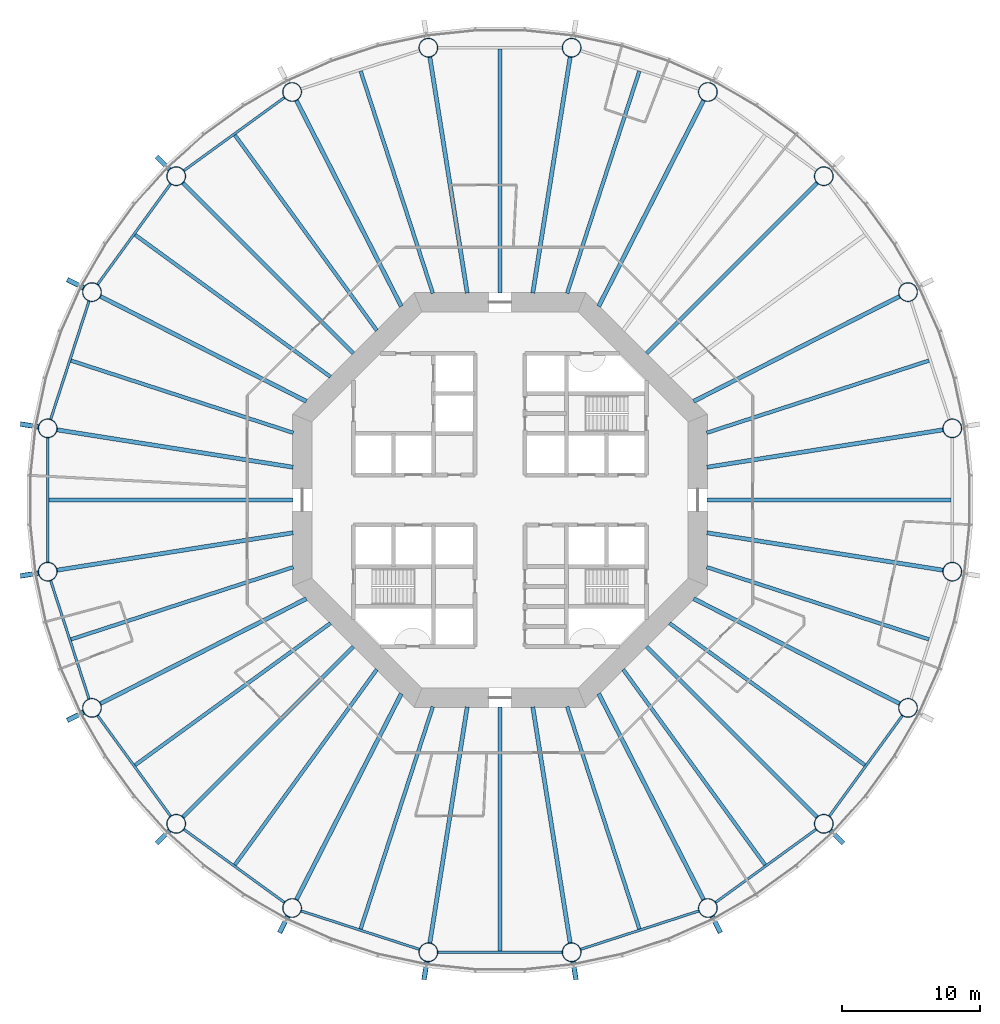
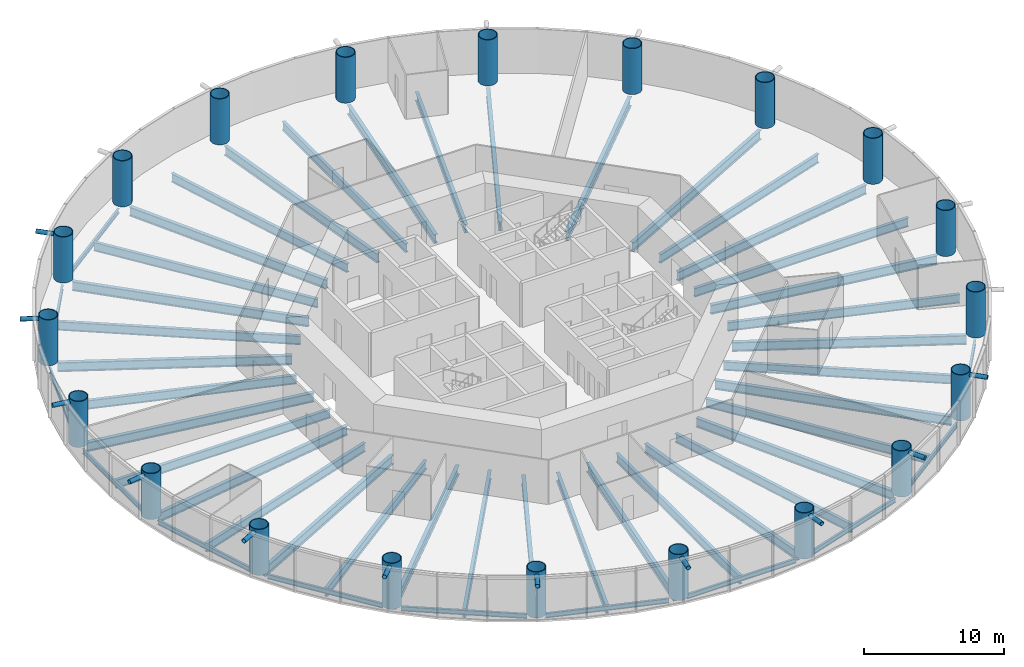
# One storey, part 1 of 13: 50 beams, 20 columns, 11 members.
"""IFC4 building model written with IfcOpenShell, lengths in metres."""

from ifc_helpers import new_model, si_unit, direction, frame, origin, origin_2d, place, context, subcontext, project, spatial, circle, hollow_circle, i_section, extrude, material, material_profile, profile_set, type_object, element, save


model = new_model("IFC4")

# Units and contexts
model_context = context("Model", 3, precision=1e-05, world=origin(), true_north=direction((0.0, 1.0)))
body_context = subcontext(model_context, "Body", "Model", "MODEL_VIEW")
ifc_project = project(units=[si_unit("LENGTHUNIT", "METRE"), si_unit("AREAUNIT", "SQUARE_METRE"), si_unit("VOLUMEUNIT", "CUBIC_METRE"), si_unit("PLANEANGLEUNIT", "RADIAN"), si_unit("MASSUNIT", "GRAM", prefix="KILO")], contexts=[model_context])

# Site, building, storey
site_placement = place(None, origin())
site = spatial("IfcSite", under=ifc_project, at=site_placement, CompositionType="ELEMENT")
building_placement = place(site_placement, origin())
building = spatial("IfcBuilding", under=site, at=building_placement, Name="Entoto Ring Tower", CompositionType="ELEMENT")
storey_placement = place(building_placement, frame((0.0, 0.0, 50.0)))
storey = spatial("IfcBuildingStorey", under=building, at=storey_placement, Name="L10", CompositionType="ELEMENT", Elevation=50.0)

# Columns
ifc_material_1 = material(Name="Steel S355", Category="steel")
ifc_material_profile_1 = material_profile(ifc_material_1, hollow_circle(Radius=0.699951171875, WallThickness=0.06005859375, at=origin_2d()), Name="CHS 1400 x 60")
ifc_material_2 = material(Name="Concrete C60/75", Category="concrete")
ifc_material_profile_2 = material_profile(ifc_material_2, circle(Radius=0.639892578125, at=origin_2d()), Name="Concrete C60/75 infill")
ifc_profile_set_1 = profile_set([ifc_material_profile_1, ifc_material_profile_2], Name="Steel S355")
column_type = type_object("IfcColumnType", Name="Ring column 1400 x 60 concrete-filled tube", PredefinedType="COLUMN", material=ifc_profile_set_1)
for number, where, z_axis, x_axis, name in (
    (1, (122.6923828125, 85.177978515625, 0.0), (0.0, 0.0, 1.0), (1.0, 0.0, 0.0), "RC1 R01"),
    (2, (119.492431640625, 95.027099609375, 0.0), (0.0, 0.0, 1.0), (1.0, 0.0, 0.0), "RC1 R02"),
    (3, (113.4052734375, 103.4052734375, 0.0), (0.0, 0.0, 1.0), (1.0, 0.0, 0.0), "RC1 R03"),
    (4, (105.027099609375, 109.492431640625, 0.0), (0.0, 0.0, 1.0), (1.0, 0.0, 0.0), "RC1 R04"),
    (5, (95.177978515625, 112.6923828125, 0.0), (0.0, 0.0, 1.0), (1.0, 0.0, 0.0), "RC1 R05"),
    (6, (84.822021484375, 112.6923828125, 0.0), (0.0, 0.0, 1.0), (1.0, 0.0, 0.0), "RC1 R06"),
    (7, (74.972900390625, 109.492431640625, 0.0), (0.0, 0.0, 1.0), (1.0, 0.0, 0.0), "RC1 R07"),
    (8, (66.5947265625, 103.4052734375, 0.0), (0.0, 0.0, 1.0), (1.0, 0.0, 0.0), "RC1 R08"),
    (9, (60.507568359375, 95.027099609375, 0.0), (0.0, 0.0, 1.0), (1.0, 0.0, 0.0), "RC1 R09"),
    (10, (57.3076171875, 85.177978515625, 0.0), (0.0, 0.0, 1.0), (1.0, 0.0, 0.0), "RC1 R10"),
    (11, (57.3076171875, 74.822021484375, 0.0), (0.0, 0.0, 1.0), (1.0, 0.0, 0.0), "RC1 R11"),
    (12, (60.507568359375, 64.972900390625, 0.0), (0.0, 0.0, 1.0), (1.0, 0.0, 0.0), "RC1 R12"),
    (13, (66.5947265625, 56.5947265625, 0.0), (0.0, 0.0, 1.0), (1.0, 0.0, 0.0), "RC1 R13"),
    (14, (74.972900390625, 50.507568359375, 0.0), (0.0, 0.0, 1.0), (1.0, 0.0, 0.0), "RC1 R14"),
    (15, (84.822021484375, 47.3076171875, 0.0), (0.0, 0.0, 1.0), (1.0, 0.0, 0.0), "RC1 R15"),
    (16, (95.177978515625, 47.3076171875, 0.0), (0.0, 0.0, 1.0), (1.0, 0.0, 0.0), "RC1 R16"),
    (17, (105.027099609375, 50.507568359375, 0.0), (0.0, 0.0, 1.0), (1.0, 0.0, 0.0), "RC1 R17"),
    (18, (113.4052734375, 56.5947265625, 0.0), (0.0, 0.0, 1.0), (1.0, 0.0, 0.0), "RC1 R18"),
    (19, (119.492431640625, 64.972900390625, 0.0), (0.0, 0.0, 1.0), (1.0, 0.0, 0.0), "RC1 R19"),
    (20, (122.6923828125, 74.822021484375, 0.0), (0.0, 0.0, 1.0), (1.0, 0.0, 0.0), "RC1 R20"),
):
    element("IfcColumn", number, at=place(storey_placement, frame(where, z_axis=z_axis, x_axis=x_axis)), inside=storey, type_object=column_type, Name=name, PredefinedType="COLUMN", context=body_context, shape_type="SweptSolid", body=[
        extrude(hollow_circle(Radius=0.699951171875, WallThickness=0.06005859375, at=origin_2d()), origin(), (0.0, 0.0, 1.0), 4.0),
    ])

# Members
ifc_material_3 = material(Name="Steel S355", Category="steel")
ifc_material_profile_3 = material_profile(ifc_material_3, hollow_circle(Radius=0.177734375, WallThickness=0.01611328125, at=origin_2d()), Name="CHS 355.6 x 16")
ifc_material_4 = material(Name="Concrete C60/75", Category="concrete")
ifc_material_profile_4 = material_profile(ifc_material_4, circle(Radius=0.161865234375, at=origin_2d()), Name="Concrete C60/75 infill")
ifc_profile_set_2 = profile_set([ifc_material_profile_3, ifc_material_profile_4], Name="Steel S355")
member_type = type_object("IfcMemberType", Name="Diagrid node strut 355.6 x 16", PredefinedType="STRUT", material=ifc_profile_set_2)
member_1_placement = place(storey_placement, frame((66.130126953125, 103.869873046875, 3.672119140625), z_axis=(-0.707106781187, 0.707106781187, 0.0), x_axis=(-0.707106781187, -0.707106781187, 0.0)))
element("IfcMember", 21, at=member_1_placement, inside=storey, type_object=member_type, Name="DS1 strut ring 3 07", PredefinedType="STRUT", context=body_context, shape_type="SweptSolid", body=[
    extrude(hollow_circle(Radius=0.177734375, WallThickness=0.01611328125, at=origin_2d()), origin(), (0.0, 0.0, 1.0), 1.3427734375),
])
member_2_placement = place(storey_placement, frame((59.92236328125, 95.325439453125, 3.672119140625), z_axis=(-0.891057529727, 0.453890381829, 0.0), x_axis=(-0.453890381829, -0.891057529727, 0.0)))
element("IfcMember", 22, at=member_2_placement, inside=storey, type_object=member_type, Name="DS1 strut ring 3 08", PredefinedType="STRUT", context=body_context, shape_type="SweptSolid", body=[
    extrude(hollow_circle(Radius=0.177734375, WallThickness=0.01611328125, at=origin_2d()), origin(), (0.0, 0.0, 1.0), 1.343017578125),
])
for number, where, z_axis, x_axis, name in (
    (23, (56.65869140625, 85.28076171875, 3.672119140625), (-0.987678819889, 0.156494564579, 0.0), (-0.156494564579, -0.987678819889, 0.0), "DS1 strut ring 3 09"),
    (24, (56.65869140625, 74.71923828125, 3.672119140625), (-0.987678819889, -0.156494564579, 0.0), (0.156494564579, -0.987678819889, 0.0), "DS1 strut ring 3 10"),
):
    element("IfcMember", number, at=place(storey_placement, frame(where, z_axis=z_axis, x_axis=x_axis)), inside=storey, type_object=member_type, Name=name, PredefinedType="STRUT", context=body_context, shape_type="SweptSolid", body=[
        extrude(hollow_circle(Radius=0.177734375, WallThickness=0.01611328125, at=origin_2d()), origin(), (0.0, 0.0, 1.0), 1.34326171875),
    ])
member_3_placement = place(storey_placement, frame((59.92236328125, 64.674560546875, 3.672119140625), z_axis=(-0.891057529727, -0.453890381829, 0.0), x_axis=(0.453890381829, -0.891057529727, 0.0)))
element("IfcMember", 25, at=member_3_placement, inside=storey, type_object=member_type, Name="DS1 strut ring 3 11", PredefinedType="STRUT", context=body_context, shape_type="SweptSolid", body=[
    extrude(hollow_circle(Radius=0.177734375, WallThickness=0.01611328125, at=origin_2d()), origin(), (0.0, 0.0, 1.0), 1.343017578125),
])
member_4_placement = place(storey_placement, frame((66.130126953125, 56.130126953125, 3.672119140625), z_axis=(-0.707106781187, -0.707106781187, 0.0), x_axis=(0.707106781187, -0.707106781187, 0.0)))
element("IfcMember", 26, at=member_4_placement, inside=storey, type_object=member_type, Name="DS1 strut ring 3 12", PredefinedType="STRUT", context=body_context, shape_type="SweptSolid", body=[
    extrude(hollow_circle(Radius=0.177734375, WallThickness=0.01611328125, at=origin_2d()), origin(), (0.0, 0.0, 1.0), 1.3427734375),
])
member_5_placement = place(storey_placement, frame((74.674560546875, 49.92236328125, 3.672119140625), z_axis=(-0.453890381829, -0.891057529727, 0.0), x_axis=(0.891057529727, -0.453890381829, 0.0)))
element("IfcMember", 27, at=member_5_placement, inside=storey, type_object=member_type, Name="DS1 strut ring 3 13", PredefinedType="STRUT", context=body_context, shape_type="SweptSolid", body=[
    extrude(hollow_circle(Radius=0.177734375, WallThickness=0.01611328125, at=origin_2d()), origin(), (0.0, 0.0, 1.0), 1.343017578125),
])
for number, where, z_axis, x_axis, name in (
    (28, (84.71923828125, 46.65869140625, 3.672119140625), (-0.156494564579, -0.987678819889, 0.0), (0.987678819889, -0.156494564579, 0.0), "DS1 strut ring 3 14"),
    (29, (95.28076171875, 46.65869140625, 3.672119140625), (0.156494564579, -0.987678819889, 0.0), (0.987678819889, 0.156494564579, 0.0), "DS1 strut ring 3 15"),
):
    element("IfcMember", number, at=place(storey_placement, frame(where, z_axis=z_axis, x_axis=x_axis)), inside=storey, type_object=member_type, Name=name, PredefinedType="STRUT", context=body_context, shape_type="SweptSolid", body=[
        extrude(hollow_circle(Radius=0.177734375, WallThickness=0.01611328125, at=origin_2d()), origin(), (0.0, 0.0, 1.0), 1.34326171875),
    ])
member_6_placement = place(storey_placement, frame((105.325439453125, 49.92236328125, 3.672119140625), z_axis=(0.453890381829, -0.891057529727, 0.0), x_axis=(0.891057529727, 0.453890381829, 0.0)))
element("IfcMember", 30, at=member_6_placement, inside=storey, type_object=member_type, Name="DS1 strut ring 3 16", PredefinedType="STRUT", context=body_context, shape_type="SweptSolid", body=[
    extrude(hollow_circle(Radius=0.177734375, WallThickness=0.01611328125, at=origin_2d()), origin(), (0.0, 0.0, 1.0), 1.343017578125),
])
member_7_placement = place(storey_placement, frame((113.869873046875, 56.130126953125, 3.672119140625), z_axis=(0.707106781187, -0.707106781187, 0.0), x_axis=(0.707106781187, 0.707106781187, 0.0)))
element("IfcMember", 31, at=member_7_placement, inside=storey, type_object=member_type, Name="DS1 strut ring 3 17", PredefinedType="STRUT", context=body_context, shape_type="SweptSolid", body=[
    extrude(hollow_circle(Radius=0.177734375, WallThickness=0.01611328125, at=origin_2d()), origin(), (0.0, 0.0, 1.0), 1.3427734375),
])

# Beams
ifc_material_5 = material(Name="Steel S355", Category="steel")
ifc_material_profile_5 = material_profile(ifc_material_5, i_section(OverallWidth=0.179931640625, OverallDepth=0.39990234375, WebThickness=0.008544921875, FlangeThickness=0.013427734375, FilletRadius=0.02099609375, at=origin_2d()), Name="IPE 400")
ifc_profile_set_3 = profile_set([ifc_material_profile_5], Name="Steel S355")
beam_type_1 = type_object("IfcBeamType", Name="Edge beam IPE 400", PredefinedType="SPANDREL", material=ifc_profile_set_3)
for number, where, z_axis, x_axis, name in (
    (32, (74.427490234375, 109.09619140625, -0.35009765625), (-0.80901142547, -0.587792917156, 0.0), (0.587792917156, -0.80901142547, 0.0), "Edge beam L10 07"),
    (33, (66.198486328125, 102.85986328125, -0.35009765625), (-0.587792917156, -0.80901142547, 0.0), (0.80901142547, -0.587792917156, 0.0), "Edge beam L10 08"),
    (34, (60.29931640625, 94.385986328125, -0.35009765625), (-0.309006400295, -0.951059958455, 0.0), (0.951059958455, -0.309006400295, 0.0), "Edge beam L10 09"),
    (35, (57.3076171875, 84.50390625, -0.35009765625), (0.0, -1.0, 0.0), (1.0, 0.0, 0.0), "Edge beam L10 10"),
    (36, (57.515869140625, 74.180908203125, -0.35009765625), (0.309006400295, -0.951059958455, 0.0), (0.951059958455, 0.309006400295, 0.0), "Edge beam L10 11"),
    (37, (60.90380859375, 64.427490234375, -0.35009765625), (0.587792917156, -0.80901142547, 0.0), (0.80901142547, 0.587792917156, 0.0), "Edge beam L10 12"),
    (38, (67.14013671875, 56.198486328125, -0.35009765625), (0.80901142547, -0.587792917156, 0.0), (0.587792917156, 0.80901142547, 0.0), "Edge beam L10 13"),
    (39, (75.614013671875, 50.29931640625, -0.35009765625), (0.951059958455, -0.309006400295, 0.0), (0.309006400295, 0.951059958455, 0.0), "Edge beam L10 14"),
    (40, (85.49609375, 47.3076171875, -0.35009765625), (1.0, 0.0, 0.0), (0.0, 1.0, 0.0), "Edge beam L10 15"),
    (41, (95.819091796875, 47.515869140625, -0.35009765625), (0.951059958455, 0.309006400295, 0.0), (-0.309006400295, 0.951059958455, 0.0), "Edge beam L10 16"),
    (42, (105.572509765625, 50.90380859375, -0.35009765625), (0.80901142547, 0.587792917156, 0.0), (-0.587792917156, 0.80901142547, 0.0), "Edge beam L10 17"),
    (43, (113.801513671875, 57.14013671875, -0.35009765625), (0.587792917156, 0.80901142547, 0.0), (-0.80901142547, 0.587792917156, 0.0), "Edge beam L10 18"),
):
    element("IfcBeam", number, at=place(storey_placement, frame(where, z_axis=z_axis, x_axis=x_axis)), inside=storey, type_object=beam_type_1, Name=name, PredefinedType="SPANDREL", context=body_context, shape_type="SweptSolid", body=[
        extrude(i_section(OverallWidth=0.179931640625, OverallDepth=0.39990234375, WebThickness=0.008544921875, FlangeThickness=0.013427734375, FilletRadius=0.02099609375, at=origin_2d()), origin(), (0.0, 0.0, 1.0), 9.0078125),
    ])
ifc_material_6 = material(Name="Steel S355", Category="steel")
ifc_material_profile_6 = material_profile(ifc_material_6, i_section(OverallWidth=0.300048828125, OverallDepth=0.800048828125, WebThickness=0.017578125, FlangeThickness=0.032958984375, FilletRadius=0.030029296875, at=origin_2d()), Name="HE 800 B")
ifc_profile_set_4 = profile_set([ifc_material_profile_6], Name="Steel S355")
beam_type_2 = type_object("IfcBeamType", Name="Primary floor beam HE 800 B", PredefinedType="BEAM", material=ifc_profile_set_4)
beam_1_placement = place(storey_placement, frame((104.956787109375, 82.368896484375, -0.550048828125), z_axis=(0.98768775999, 0.156438130794, 0.0), x_axis=(-0.156438130794, 0.98768775999, 0.0)))
element("IfcBeam", 44, at=beam_1_placement, inside=storey, type_object=beam_type_2, Name="Primary L10 R01", PredefinedType="BEAM", context=body_context, shape_type="SweptSolid", body=[
    extrude(i_section(OverallWidth=0.300048828125, OverallDepth=0.800048828125, WebThickness=0.017578125, FlangeThickness=0.032958984375, FilletRadius=0.030029296875, at=origin_2d()), origin(), (0.0, 0.0, 1.0), 17.293212890625),
])
beam_2_placement = place(storey_placement, frame((103.99169921875, 87.129150390625, -0.550048828125), z_axis=(0.891007761657, 0.453988071063, 0.0), x_axis=(-0.453988071063, 0.891007761657, 0.0)))
element("IfcBeam", 45, at=beam_2_placement, inside=storey, type_object=beam_type_2, Name="Primary L10 R02", PredefinedType="BEAM", context=body_context, shape_type="SweptSolid", body=[
    extrude(i_section(OverallWidth=0.300048828125, OverallDepth=0.800048828125, WebThickness=0.017578125, FlangeThickness=0.032958984375, FilletRadius=0.030029296875, at=origin_2d()), origin(), (0.0, 0.0, 1.0), 16.733154296875),
])
beam_3_placement = place(storey_placement, frame((100.592529296875, 90.592529296875, -0.550048828125), z_axis=(0.707106781187, 0.707106781187, 0.0), x_axis=(-0.707106781187, 0.707106781187, 0.0)))
element("IfcBeam", 46, at=beam_3_placement, inside=storey, type_object=beam_type_2, Name="Primary L10 R03", PredefinedType="BEAM", context=body_context, shape_type="SweptSolid", body=[
    extrude(i_section(OverallWidth=0.300048828125, OverallDepth=0.800048828125, WebThickness=0.017578125, FlangeThickness=0.032958984375, FilletRadius=0.030029296875, at=origin_2d()), origin(), (0.0, 0.0, 1.0), 17.456298828125),
])
beam_4_placement = place(storey_placement, frame((97.129150390625, 93.99169921875, -0.550048828125), z_axis=(0.453988071063, 0.891007761657, 0.0), x_axis=(-0.891007761657, 0.453988071063, 0.0)))
element("IfcBeam", 47, at=beam_4_placement, inside=storey, type_object=beam_type_2, Name="Primary L10 R04", PredefinedType="BEAM", context=body_context, shape_type="SweptSolid", body=[
    extrude(i_section(OverallWidth=0.300048828125, OverallDepth=0.800048828125, WebThickness=0.017578125, FlangeThickness=0.032958984375, FilletRadius=0.030029296875, at=origin_2d()), origin(), (0.0, 0.0, 1.0), 16.733154296875),
])
for number, where, z_axis, x_axis, name in (
    (48, (92.368896484375, 94.956787109375, -0.550048828125), (0.156438130794, 0.98768775999, 0.0), (-0.98768775999, 0.156438130794, 0.0), "Primary L10 R05"),
    (49, (87.631103515625, 94.956787109375, -0.550048828125), (-0.156438130794, 0.98768775999, 0.0), (-0.98768775999, -0.156438130794, 0.0), "Primary L10 R06"),
):
    element("IfcBeam", number, at=place(storey_placement, frame(where, z_axis=z_axis, x_axis=x_axis)), inside=storey, type_object=beam_type_2, Name=name, PredefinedType="BEAM", context=body_context, shape_type="SweptSolid", body=[
        extrude(i_section(OverallWidth=0.300048828125, OverallDepth=0.800048828125, WebThickness=0.017578125, FlangeThickness=0.032958984375, FilletRadius=0.030029296875, at=origin_2d()), origin(), (0.0, 0.0, 1.0), 17.293212890625),
    ])
beam_5_placement = place(storey_placement, frame((82.870849609375, 93.99169921875, -0.550048828125), z_axis=(-0.453988071063, 0.891007761657, 0.0), x_axis=(-0.891007761657, -0.453988071063, 0.0)))
element("IfcBeam", 50, at=beam_5_placement, inside=storey, type_object=beam_type_2, Name="Primary L10 R07", PredefinedType="BEAM", context=body_context, shape_type="SweptSolid", body=[
    extrude(i_section(OverallWidth=0.300048828125, OverallDepth=0.800048828125, WebThickness=0.017578125, FlangeThickness=0.032958984375, FilletRadius=0.030029296875, at=origin_2d()), origin(), (0.0, 0.0, 1.0), 16.733154296875),
])
beam_6_placement = place(storey_placement, frame((79.407470703125, 90.592529296875, -0.550048828125), z_axis=(-0.707106781187, 0.707106781187, 0.0), x_axis=(-0.707106781187, -0.707106781187, 0.0)))
element("IfcBeam", 51, at=beam_6_placement, inside=storey, type_object=beam_type_2, Name="Primary L10 R08", PredefinedType="BEAM", context=body_context, shape_type="SweptSolid", body=[
    extrude(i_section(OverallWidth=0.300048828125, OverallDepth=0.800048828125, WebThickness=0.017578125, FlangeThickness=0.032958984375, FilletRadius=0.030029296875, at=origin_2d()), origin(), (0.0, 0.0, 1.0), 17.456298828125),
])
beam_7_placement = place(storey_placement, frame((76.00830078125, 87.129150390625, -0.550048828125), z_axis=(-0.891007761657, 0.453988071063, 0.0), x_axis=(-0.453988071063, -0.891007761657, 0.0)))
element("IfcBeam", 52, at=beam_7_placement, inside=storey, type_object=beam_type_2, Name="Primary L10 R09", PredefinedType="BEAM", context=body_context, shape_type="SweptSolid", body=[
    extrude(i_section(OverallWidth=0.300048828125, OverallDepth=0.800048828125, WebThickness=0.017578125, FlangeThickness=0.032958984375, FilletRadius=0.030029296875, at=origin_2d()), origin(), (0.0, 0.0, 1.0), 16.733154296875),
])
for number, where, z_axis, x_axis, name in (
    (53, (75.043212890625, 82.368896484375, -0.550048828125), (-0.98768775999, 0.156438130794, 0.0), (-0.156438130794, -0.98768775999, 0.0), "Primary L10 R10"),
    (54, (75.043212890625, 77.631103515625, -0.550048828125), (-0.98768775999, -0.156438130794, 0.0), (0.156438130794, -0.98768775999, 0.0), "Primary L10 R11"),
):
    element("IfcBeam", number, at=place(storey_placement, frame(where, z_axis=z_axis, x_axis=x_axis)), inside=storey, type_object=beam_type_2, Name=name, PredefinedType="BEAM", context=body_context, shape_type="SweptSolid", body=[
        extrude(i_section(OverallWidth=0.300048828125, OverallDepth=0.800048828125, WebThickness=0.017578125, FlangeThickness=0.032958984375, FilletRadius=0.030029296875, at=origin_2d()), origin(), (0.0, 0.0, 1.0), 17.293212890625),
    ])
beam_8_placement = place(storey_placement, frame((76.00830078125, 72.870849609375, -0.550048828125), z_axis=(-0.891007761657, -0.453988071063, 0.0), x_axis=(0.453988071063, -0.891007761657, 0.0)))
element("IfcBeam", 55, at=beam_8_placement, inside=storey, type_object=beam_type_2, Name="Primary L10 R12", PredefinedType="BEAM", context=body_context, shape_type="SweptSolid", body=[
    extrude(i_section(OverallWidth=0.300048828125, OverallDepth=0.800048828125, WebThickness=0.017578125, FlangeThickness=0.032958984375, FilletRadius=0.030029296875, at=origin_2d()), origin(), (0.0, 0.0, 1.0), 16.733154296875),
])
beam_9_placement = place(storey_placement, frame((79.407470703125, 69.407470703125, -0.550048828125), z_axis=(-0.707106781187, -0.707106781187, 0.0), x_axis=(0.707106781187, -0.707106781187, 0.0)))
element("IfcBeam", 56, at=beam_9_placement, inside=storey, type_object=beam_type_2, Name="Primary L10 R13", PredefinedType="BEAM", context=body_context, shape_type="SweptSolid", body=[
    extrude(i_section(OverallWidth=0.300048828125, OverallDepth=0.800048828125, WebThickness=0.017578125, FlangeThickness=0.032958984375, FilletRadius=0.030029296875, at=origin_2d()), origin(), (0.0, 0.0, 1.0), 17.456298828125),
])
beam_10_placement = place(storey_placement, frame((82.870849609375, 66.00830078125, -0.550048828125), z_axis=(-0.453988071063, -0.891007761657, 0.0), x_axis=(0.891007761657, -0.453988071063, 0.0)))
element("IfcBeam", 57, at=beam_10_placement, inside=storey, type_object=beam_type_2, Name="Primary L10 R14", PredefinedType="BEAM", context=body_context, shape_type="SweptSolid", body=[
    extrude(i_section(OverallWidth=0.300048828125, OverallDepth=0.800048828125, WebThickness=0.017578125, FlangeThickness=0.032958984375, FilletRadius=0.030029296875, at=origin_2d()), origin(), (0.0, 0.0, 1.0), 16.733154296875),
])
for number, where, z_axis, x_axis, name in (
    (58, (87.631103515625, 65.043212890625, -0.550048828125), (-0.156438130794, -0.98768775999, 0.0), (0.98768775999, -0.156438130794, 0.0), "Primary L10 R15"),
    (59, (92.368896484375, 65.043212890625, -0.550048828125), (0.156438130794, -0.98768775999, 0.0), (0.98768775999, 0.156438130794, 0.0), "Primary L10 R16"),
):
    element("IfcBeam", number, at=place(storey_placement, frame(where, z_axis=z_axis, x_axis=x_axis)), inside=storey, type_object=beam_type_2, Name=name, PredefinedType="BEAM", context=body_context, shape_type="SweptSolid", body=[
        extrude(i_section(OverallWidth=0.300048828125, OverallDepth=0.800048828125, WebThickness=0.017578125, FlangeThickness=0.032958984375, FilletRadius=0.030029296875, at=origin_2d()), origin(), (0.0, 0.0, 1.0), 17.293212890625),
    ])
beam_11_placement = place(storey_placement, frame((97.129150390625, 66.00830078125, -0.550048828125), z_axis=(0.453988071063, -0.891007761657, 0.0), x_axis=(0.891007761657, 0.453988071063, 0.0)))
element("IfcBeam", 60, at=beam_11_placement, inside=storey, type_object=beam_type_2, Name="Primary L10 R17", PredefinedType="BEAM", context=body_context, shape_type="SweptSolid", body=[
    extrude(i_section(OverallWidth=0.300048828125, OverallDepth=0.800048828125, WebThickness=0.017578125, FlangeThickness=0.032958984375, FilletRadius=0.030029296875, at=origin_2d()), origin(), (0.0, 0.0, 1.0), 16.733154296875),
])
beam_12_placement = place(storey_placement, frame((100.592529296875, 69.407470703125, -0.550048828125), z_axis=(0.707106781187, -0.707106781187, 0.0), x_axis=(0.707106781187, 0.707106781187, 0.0)))
element("IfcBeam", 61, at=beam_12_placement, inside=storey, type_object=beam_type_2, Name="Primary L10 R18", PredefinedType="BEAM", context=body_context, shape_type="SweptSolid", body=[
    extrude(i_section(OverallWidth=0.300048828125, OverallDepth=0.800048828125, WebThickness=0.017578125, FlangeThickness=0.032958984375, FilletRadius=0.030029296875, at=origin_2d()), origin(), (0.0, 0.0, 1.0), 17.456298828125),
])
beam_13_placement = place(storey_placement, frame((103.99169921875, 72.870849609375, -0.550048828125), z_axis=(0.891007761657, -0.453988071063, 0.0), x_axis=(0.453988071063, 0.891007761657, 0.0)))
element("IfcBeam", 62, at=beam_13_placement, inside=storey, type_object=beam_type_2, Name="Primary L10 R19", PredefinedType="BEAM", context=body_context, shape_type="SweptSolid", body=[
    extrude(i_section(OverallWidth=0.300048828125, OverallDepth=0.800048828125, WebThickness=0.017578125, FlangeThickness=0.032958984375, FilletRadius=0.030029296875, at=origin_2d()), origin(), (0.0, 0.0, 1.0), 16.733154296875),
])
beam_14_placement = place(storey_placement, frame((104.956787109375, 77.631103515625, -0.550048828125), z_axis=(0.98768775999, -0.156438130794, 0.0), x_axis=(0.156438130794, 0.98768775999, 0.0)))
element("IfcBeam", 63, at=beam_14_placement, inside=storey, type_object=beam_type_2, Name="Primary L10 R20", PredefinedType="BEAM", context=body_context, shape_type="SweptSolid", body=[
    extrude(i_section(OverallWidth=0.300048828125, OverallDepth=0.800048828125, WebThickness=0.017578125, FlangeThickness=0.032958984375, FilletRadius=0.030029296875, at=origin_2d()), origin(), (0.0, 0.0, 1.0), 17.293212890625),
])
ifc_material_7 = material(Name="Steel S355", Category="steel")
ifc_material_profile_7 = material_profile(ifc_material_7, i_section(OverallWidth=0.262939453125, OverallDepth=0.7529296875, WebThickness=0.011474609375, FlangeThickness=0.01708984375, FilletRadius=0.01708984375, at=origin_2d()), Name="IPE 750 x 137")
ifc_profile_set_5 = profile_set([ifc_material_profile_7], Name="Steel S355")
beam_type_3 = type_object("IfcBeamType", Name="Secondary floor beam IPE 750 x 137", PredefinedType="JOIST", material=ifc_profile_set_5)
for number, where, z_axis, x_axis, name in (
    (64, (104.9404296875, 84.8544921875, -0.526611328125), (0.951057855768, 0.30901287187, 0.0), (-0.30901287187, 0.951057855768, 0.0), "Secondary beam L10 01"),
    (65, (94.8544921875, 94.9404296875, -0.526611328125), (0.30901287187, 0.951057855768, 0.0), (-0.951057855768, 0.30901287187, 0.0), "Secondary beam L10 04"),
):
    element("IfcBeam", number, at=place(storey_placement, frame(where, z_axis=z_axis, x_axis=x_axis)), inside=storey, type_object=beam_type_3, Name=name, PredefinedType="JOIST", context=body_context, shape_type="SweptSolid", body=[
        extrude(i_section(OverallWidth=0.262939453125, OverallDepth=0.7529296875, WebThickness=0.011474609375, FlangeThickness=0.01708984375, FilletRadius=0.01708984375, at=origin_2d()), origin(), (0.0, 0.0, 1.0), 16.893310546875),
    ])
beam_15_placement = place(storey_placement, frame((90.0, 94.97998046875, -0.526611328125), z_axis=(0.0, 1.0, 0.0), x_axis=(-1.0, 0.0, 0.0)))
element("IfcBeam", 66, at=beam_15_placement, inside=storey, type_object=beam_type_3, Name="Secondary beam L10 05", PredefinedType="JOIST", context=body_context, shape_type="SweptSolid", body=[
    extrude(i_section(OverallWidth=0.262939453125, OverallDepth=0.7529296875, WebThickness=0.011474609375, FlangeThickness=0.01708984375, FilletRadius=0.01708984375, at=origin_2d()), origin(), (0.0, 0.0, 1.0), 17.62255859375),
])
beam_16_placement = place(storey_placement, frame((85.1455078125, 94.9404296875, -0.526611328125), z_axis=(-0.30901287187, 0.951057855768, 0.0), x_axis=(-0.951057855768, -0.30901287187, 0.0)))
element("IfcBeam", 67, at=beam_16_placement, inside=storey, type_object=beam_type_3, Name="Secondary beam L10 06", PredefinedType="JOIST", context=body_context, shape_type="SweptSolid", body=[
    extrude(i_section(OverallWidth=0.262939453125, OverallDepth=0.7529296875, WebThickness=0.011474609375, FlangeThickness=0.01708984375, FilletRadius=0.01708984375, at=origin_2d()), origin(), (0.0, 0.0, 1.0), 16.893310546875),
])
for number, where, z_axis, x_axis, name in (
    (68, (81.097412109375, 92.25341796875, -0.526611328125), (-0.58778910532, 0.809014194973, 0.0), (-0.809014194973, -0.58778910532, 0.0), "Secondary beam L10 07"),
    (69, (77.74658203125, 88.902587890625, -0.526611328125), (-0.809014194973, 0.58778910532, 0.0), (-0.58778910532, -0.809014194973, 0.0), "Secondary beam L10 08"),
):
    element("IfcBeam", number, at=place(storey_placement, frame(where, z_axis=z_axis, x_axis=x_axis)), inside=storey, type_object=beam_type_3, Name=name, PredefinedType="JOIST", context=body_context, shape_type="SweptSolid", body=[
        extrude(i_section(OverallWidth=0.262939453125, OverallDepth=0.7529296875, WebThickness=0.011474609375, FlangeThickness=0.01708984375, FilletRadius=0.01708984375, at=origin_2d()), origin(), (0.0, 0.0, 1.0), 17.45654296875),
    ])
beam_17_placement = place(storey_placement, frame((75.0595703125, 84.8544921875, -0.526611328125), z_axis=(-0.951057855768, 0.30901287187, 0.0), x_axis=(-0.30901287187, -0.951057855768, 0.0)))
element("IfcBeam", 70, at=beam_17_placement, inside=storey, type_object=beam_type_3, Name="Secondary beam L10 09", PredefinedType="JOIST", context=body_context, shape_type="SweptSolid", body=[
    extrude(i_section(OverallWidth=0.262939453125, OverallDepth=0.7529296875, WebThickness=0.011474609375, FlangeThickness=0.01708984375, FilletRadius=0.01708984375, at=origin_2d()), origin(), (0.0, 0.0, 1.0), 16.893310546875),
])
beam_18_placement = place(storey_placement, frame((75.02001953125, 80.0, -0.526611328125), z_axis=(-1.0, 0.0, 0.0), x_axis=(0.0, -1.0, 0.0)))
element("IfcBeam", 71, at=beam_18_placement, inside=storey, type_object=beam_type_3, Name="Secondary beam L10 10", PredefinedType="JOIST", context=body_context, shape_type="SweptSolid", body=[
    extrude(i_section(OverallWidth=0.262939453125, OverallDepth=0.7529296875, WebThickness=0.011474609375, FlangeThickness=0.01708984375, FilletRadius=0.01708984375, at=origin_2d()), origin(), (0.0, 0.0, 1.0), 17.62255859375),
])
beam_19_placement = place(storey_placement, frame((75.0595703125, 75.1455078125, -0.526611328125), z_axis=(-0.951057855768, -0.30901287187, 0.0), x_axis=(0.30901287187, -0.951057855768, 0.0)))
element("IfcBeam", 72, at=beam_19_placement, inside=storey, type_object=beam_type_3, Name="Secondary beam L10 11", PredefinedType="JOIST", context=body_context, shape_type="SweptSolid", body=[
    extrude(i_section(OverallWidth=0.262939453125, OverallDepth=0.7529296875, WebThickness=0.011474609375, FlangeThickness=0.01708984375, FilletRadius=0.01708984375, at=origin_2d()), origin(), (0.0, 0.0, 1.0), 16.893310546875),
])
for number, where, z_axis, x_axis, name in (
    (73, (77.74658203125, 71.097412109375, -0.526611328125), (-0.809014194973, -0.58778910532, 0.0), (0.58778910532, -0.809014194973, 0.0), "Secondary beam L10 12"),
    (74, (81.097412109375, 67.74658203125, -0.526611328125), (-0.58778910532, -0.809014194973, 0.0), (0.809014194973, -0.58778910532, 0.0), "Secondary beam L10 13"),
):
    element("IfcBeam", number, at=place(storey_placement, frame(where, z_axis=z_axis, x_axis=x_axis)), inside=storey, type_object=beam_type_3, Name=name, PredefinedType="JOIST", context=body_context, shape_type="SweptSolid", body=[
        extrude(i_section(OverallWidth=0.262939453125, OverallDepth=0.7529296875, WebThickness=0.011474609375, FlangeThickness=0.01708984375, FilletRadius=0.01708984375, at=origin_2d()), origin(), (0.0, 0.0, 1.0), 17.45654296875),
    ])
beam_20_placement = place(storey_placement, frame((85.1455078125, 65.0595703125, -0.526611328125), z_axis=(-0.30901287187, -0.951057855768, 0.0), x_axis=(0.951057855768, -0.30901287187, 0.0)))
element("IfcBeam", 75, at=beam_20_placement, inside=storey, type_object=beam_type_3, Name="Secondary beam L10 14", PredefinedType="JOIST", context=body_context, shape_type="SweptSolid", body=[
    extrude(i_section(OverallWidth=0.262939453125, OverallDepth=0.7529296875, WebThickness=0.011474609375, FlangeThickness=0.01708984375, FilletRadius=0.01708984375, at=origin_2d()), origin(), (0.0, 0.0, 1.0), 16.893310546875),
])
beam_21_placement = place(storey_placement, frame((90.0, 65.02001953125, -0.526611328125), z_axis=(0.0, -1.0, 0.0), x_axis=(1.0, 0.0, 0.0)))
element("IfcBeam", 76, at=beam_21_placement, inside=storey, type_object=beam_type_3, Name="Secondary beam L10 15", PredefinedType="JOIST", context=body_context, shape_type="SweptSolid", body=[
    extrude(i_section(OverallWidth=0.262939453125, OverallDepth=0.7529296875, WebThickness=0.011474609375, FlangeThickness=0.01708984375, FilletRadius=0.01708984375, at=origin_2d()), origin(), (0.0, 0.0, 1.0), 17.62255859375),
])
beam_22_placement = place(storey_placement, frame((94.8544921875, 65.0595703125, -0.526611328125), z_axis=(0.30901287187, -0.951057855768, 0.0), x_axis=(0.951057855768, 0.30901287187, 0.0)))
element("IfcBeam", 77, at=beam_22_placement, inside=storey, type_object=beam_type_3, Name="Secondary beam L10 16", PredefinedType="JOIST", context=body_context, shape_type="SweptSolid", body=[
    extrude(i_section(OverallWidth=0.262939453125, OverallDepth=0.7529296875, WebThickness=0.011474609375, FlangeThickness=0.01708984375, FilletRadius=0.01708984375, at=origin_2d()), origin(), (0.0, 0.0, 1.0), 16.893310546875),
])
for number, where, z_axis, x_axis, name in (
    (78, (98.902587890625, 67.74658203125, -0.526611328125), (0.58778910532, -0.809014194973, 0.0), (0.809014194973, 0.58778910532, 0.0), "Secondary beam L10 17"),
    (79, (102.25341796875, 71.097412109375, -0.526611328125), (0.809014194973, -0.58778910532, 0.0), (0.58778910532, 0.809014194973, 0.0), "Secondary beam L10 18"),
):
    element("IfcBeam", number, at=place(storey_placement, frame(where, z_axis=z_axis, x_axis=x_axis)), inside=storey, type_object=beam_type_3, Name=name, PredefinedType="JOIST", context=body_context, shape_type="SweptSolid", body=[
        extrude(i_section(OverallWidth=0.262939453125, OverallDepth=0.7529296875, WebThickness=0.011474609375, FlangeThickness=0.01708984375, FilletRadius=0.01708984375, at=origin_2d()), origin(), (0.0, 0.0, 1.0), 17.45654296875),
    ])
beam_23_placement = place(storey_placement, frame((104.9404296875, 75.1455078125, -0.526611328125), z_axis=(0.951057855768, -0.30901287187, 0.0), x_axis=(0.30901287187, 0.951057855768, 0.0)))
element("IfcBeam", 80, at=beam_23_placement, inside=storey, type_object=beam_type_3, Name="Secondary beam L10 19", PredefinedType="JOIST", context=body_context, shape_type="SweptSolid", body=[
    extrude(i_section(OverallWidth=0.262939453125, OverallDepth=0.7529296875, WebThickness=0.011474609375, FlangeThickness=0.01708984375, FilletRadius=0.01708984375, at=origin_2d()), origin(), (0.0, 0.0, 1.0), 16.893310546875),
])
beam_24_placement = place(storey_placement, frame((104.97998046875, 80.0, -0.526611328125), z_axis=(1.0, 0.0, 0.0), x_axis=(0.0, 1.0, 0.0)))
element("IfcBeam", 81, at=beam_24_placement, inside=storey, type_object=beam_type_3, Name="Secondary beam L10 20", PredefinedType="JOIST", context=body_context, shape_type="SweptSolid", body=[
    extrude(i_section(OverallWidth=0.262939453125, OverallDepth=0.7529296875, WebThickness=0.011474609375, FlangeThickness=0.01708984375, FilletRadius=0.01708984375, at=origin_2d()), origin(), (0.0, 0.0, 1.0), 17.62255859375),
])

save(model, "model.ifc")
